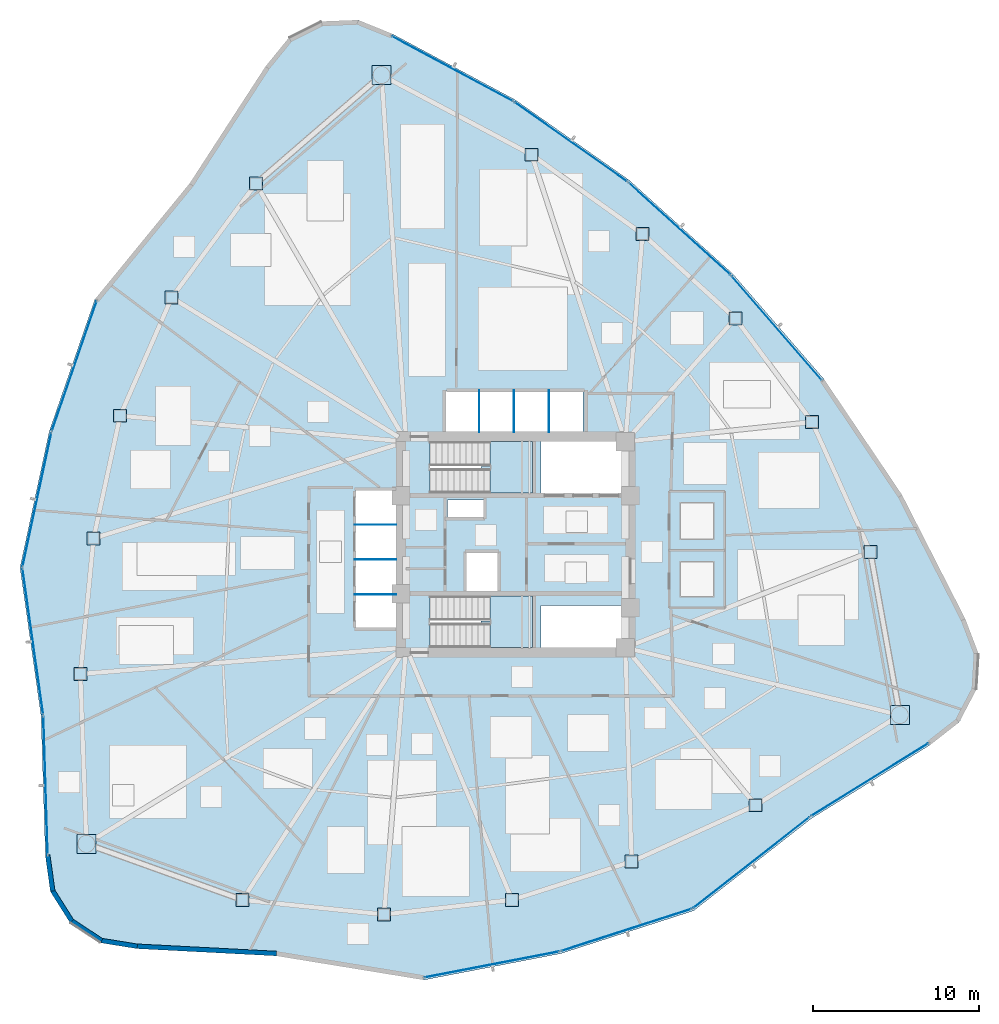
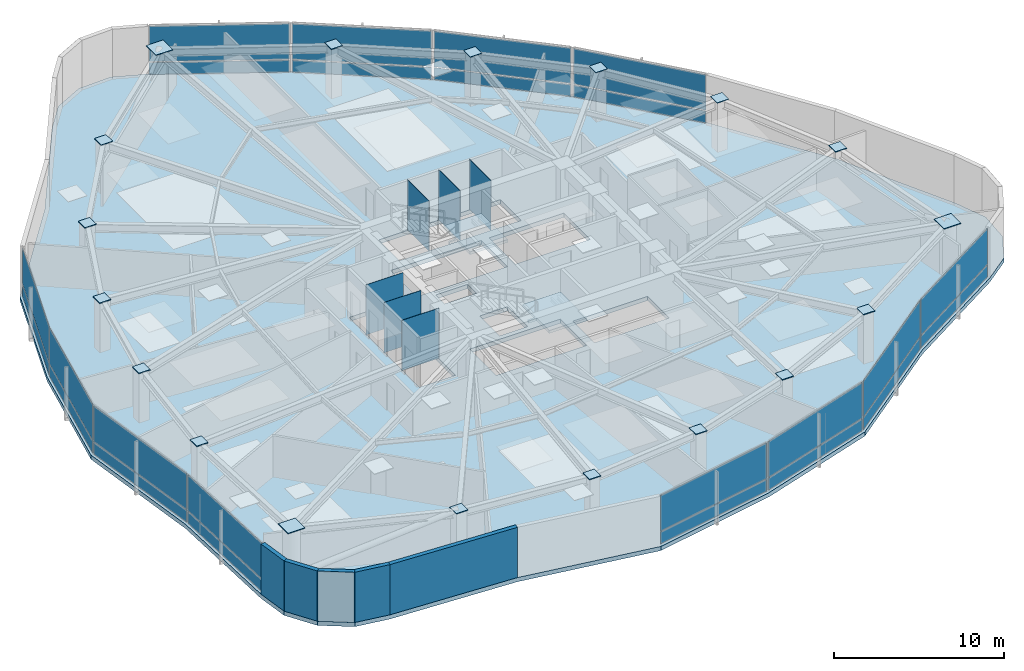
# One storey, part 10 of 17: 48 plates, 5 walls, 3 slabs, 14 elements without a shape of their own.
"""IFC4 building model written with IfcOpenShell, lengths in metres."""

from ifc_helpers import new_model, si_unit, direction, frame, frame_2d, origin, origin_2d, place, context, subcontext, project, spatial, polyline, rectangle, outline, extrude, source, transform, mapped, material, layer, layer_set, type_object, type_shapes, element, aggregate, save


model = new_model("IFC4")

# Units and contexts
model_context = context("Model", 3, precision=1e-05, world=origin(), true_north=direction((0.0, 1.0)))
body_context = subcontext(model_context, "Body", "Model", "MODEL_VIEW")
ifc_project = project(units=[si_unit("LENGTHUNIT", "METRE"), si_unit("AREAUNIT", "SQUARE_METRE"), si_unit("VOLUMEUNIT", "CUBIC_METRE"), si_unit("PLANEANGLEUNIT", "RADIAN"), si_unit("MASSUNIT", "GRAM", prefix="KILO")], contexts=[model_context])

# Site, building, storey
site_placement = place(None, origin())
site = spatial("IfcSite", under=ifc_project, at=site_placement, CompositionType="ELEMENT")
building_placement = place(site_placement, origin())
building = spatial("IfcBuilding", under=site, at=building_placement, Name="Tavelor Broadcast Tower", CompositionType="ELEMENT")
storey_placement = place(building_placement, frame((0.0, 0.0, 86.10009765625)))
storey = spatial("IfcBuildingStorey", under=building, at=storey_placement, Name="L20", CompositionType="ELEMENT", Elevation=86.10009765625)

# Stair, slab
ifc_material_1 = material(Name="Concrete C40/50", Category="concrete")
stair_type = type_object("IfcStairType", Name="Reinforced Concrete Protected Dogleg Stair 1450 mm", PredefinedType="HALF_TURN_STAIR", material=ifc_material_1)
stair_1_placement = place(storey_placement, origin())
stair_1 = element("IfcStair", 1, at=stair_1_placement, inside=storey, type_object=stair_type, Name="L20 Protected Core Exit Stair ST1", PredefinedType="HALF_TURN_STAIR")
ifc_layer_1 = layer(ifc_material_1, 0.199951171875)
ifc_layer_set_1 = layer_set([ifc_layer_1], Name="Concrete C40/50")
slab_type_1 = type_object("IfcSlabType", Name="Reinforced Concrete Stair Half-Landing Slab 200 mm", PredefinedType="LANDING", material=ifc_layer_set_1)
slab_1_placement = place(storey_placement, frame((0.0, 0.0, 1.75)))
slab_1 = element("IfcSlab", 2, at=slab_1_placement, type_object=slab_type_1, Name="ST1 landing 1", PredefinedType="LANDING", context=body_context, shape_type="SweptSolid", body=[
    extrude(outline(polyline([(48.445068359375, 49.590087890625), (48.445068359375, 48.094970703125), (51.0048828125, 48.094970703125), (51.0048828125, 51.205078125), (48.445068359375, 51.205078125), (48.445068359375, 49.7099609375), (47.905029296875, 49.7099609375), (47.905029296875, 49.590087890625), (48.445068359375, 49.590087890625)])), origin(), (0.0, 0.0, 1.0), 0.199951171875),
])
aggregate(stair_1, [slab_1])

stair_2_placement = place(storey_placement, origin())
stair_2 = element("IfcStair", 3, at=stair_2_placement, inside=storey, type_object=stair_type, Name="L20 Protected Core Exit Stair ST2", PredefinedType="HALF_TURN_STAIR")
slab_2_placement = place(storey_placement, frame((0.0, 0.0, 1.75)))
slab_2 = element("IfcSlab", 4, at=slab_2_placement, type_object=slab_type_1, Name="ST2 landing 1", PredefinedType="LANDING", context=body_context, shape_type="SweptSolid", body=[
    extrude(outline(polyline([(48.445068359375, 40.2900390625), (48.445068359375, 38.794921875), (51.0048828125, 38.794921875), (51.0048828125, 41.905029296875), (48.445068359375, 41.905029296875), (48.445068359375, 40.409912109375), (47.905029296875, 40.409912109375), (47.905029296875, 40.2900390625), (48.445068359375, 40.2900390625)])), origin(), (0.0, 0.0, 1.0), 0.199951171875),
])
aggregate(stair_2, [slab_2])

# Slab
ifc_layer_2 = layer(ifc_material_1, 0.300048828125)
ifc_layer_set_2 = layer_set([ifc_layer_2], Name="Concrete C40/50")
slab_type_2 = type_object("IfcSlabType", Name="Tower Composite Floor Slab 300 mm", PredefinedType="FLOOR", material=ifc_layer_set_2)
slab_3_placement = place(storey_placement, frame((0.0, 0.0, -0.300048828125)))
element("IfcSlab", 5, at=slab_3_placement, inside=storey, type_object=slab_type_2, Name="L20 Structural Floor Slab", PredefinedType="FLOOR", context=body_context, shape_type="SweptSolid", body=[
    extrude(outline(polyline([(42.563232421875, 75.75244140625), (40.518310546875, 76.580810546875), (38.313720703125, 76.494140625), (36.340087890625, 75.508056640625), (34.947021484375, 73.797119140625), (30.376220703125, 66.752197265625), (24.668701171875, 59.7705078125), (21.92431640625, 51.833740234375), (20.160400390625, 43.623291015625), (21.425537109375, 34.69482421875), (21.68603515625, 26.301025390625), (21.9912109375, 24.115966796875), (23.16845703125, 22.25), (25.00927734375, 21.03369140625), (27.1875, 20.68310546875), (35.573974609375, 20.246826171875), (44.47412109375, 18.794921875), (52.7197265625, 20.386474609375), (60.712158203125, 22.964111328125), (67.811767578125, 28.524169921875), (74.950927734375, 32.946533203125), (76.690673828125, 34.30322265625), (77.718017578125, 36.255859375), (77.8505859375, 38.458251953125), (77.0654296875, 40.52001953125), (73.249755859375, 48.0009765625), (68.556884765625, 54.96533203125), (63.0556640625, 61.310546875), (56.8271484375, 66.943359375), (49.962646484375, 71.781005859375), (42.563232421875, 75.75244140625)]), holes=[polyline([(56.60009765625, 38.800048828125), (51.52001953125, 38.800048828125), (51.52001953125, 41.35009765625), (56.60009765625, 41.35009765625), (56.60009765625, 38.800048828125)]), polyline([(50.99609375, 38.803955078125), (44.85400390625, 38.803955078125), (44.85400390625, 41.89599609375), (50.99609375, 41.89599609375), (50.99609375, 38.803955078125)]), polyline([(47.050048828125, 42.199951171875), (47.050048828125, 44.550048828125), (48.949951171875, 44.550048828125), (48.949951171875, 42.199951171875), (47.050048828125, 42.199951171875)]), polyline([(40.35009765625, 40.0), (40.35009765625, 48.25), (42.800048828125, 48.25), (42.800048828125, 40.0), (40.35009765625, 40.0)]), polyline([(48.050048828125, 46.64990234375), (45.89990234375, 46.64990234375), (45.89990234375, 47.699951171875), (48.050048828125, 47.699951171875), (48.050048828125, 46.64990234375)]), polyline([(50.99609375, 48.10400390625), (44.85400390625, 48.10400390625), (44.85400390625, 51.196044921875), (50.99609375, 51.196044921875), (50.99609375, 48.10400390625)]), polyline([(56.60009765625, 48.10009765625), (51.52001953125, 48.10009765625), (51.52001953125, 51.199951171875), (56.60009765625, 51.199951171875), (56.60009765625, 48.10009765625)]), polyline([(54.050048828125, 51.800048828125), (45.800048828125, 51.800048828125), (45.800048828125, 54.25), (54.050048828125, 54.25), (54.050048828125, 51.800048828125)])]), origin(), (0.0, 0.0, 1.0), 0.300048828125),
])

# Plates
ifc_material_2 = material(Name="Steel S460", Category="steel")
ifc_layer_3 = layer(ifc_material_2, 0.050048828125)
ifc_layer_set_3 = layer_set([ifc_layer_3], Name="Steel S460")
plate_type_1 = type_object("IfcPlateType", Name="Tube Hollow-End Cap Plate KN05 700x700x50", PredefinedType="USERDEFINED", material=ifc_layer_set_3)
shared_shape_1 = source(origin(), body_context, "Body", "SweptSolid", [
    extrude(rectangle(XDim=1.14697265625, YDim=1.14697265625, at=origin_2d()), origin(), (0.0, 0.0, 1.0), 0.054931640625),
])
for number, where, z_axis, x_axis, name in (
    (6, (41.923095703125, 73.266357421875, 3.572265625), (0.0, 0.0, 1.0), (1.0, 0.0, 0.0), "L20 Hollow End Cap Plate KN05 #580"),
    (7, (24.1591796875, 26.98974609375, 3.572265625), (0.0, 0.0, 1.0), (1.0, 0.0, 0.0), "L20 Hollow End Cap Plate KN05 #586"),
    (8, (73.117919921875, 34.743896484375, 3.572265625), (0.0, 0.0, 1.0), (1.0, 0.0, 0.0), "L20 Hollow End Cap Plate KN05 #592"),
):
    element("IfcPlate", number, at=place(storey_placement, frame(where, z_axis=z_axis, x_axis=x_axis)), inside=storey, type_object=plate_type_1, Name=name, ObjectType="CAP PLATE", PredefinedType="USERDEFINED", context=body_context, shape_type="MappedRepresentation", body=[
        mapped(shared_shape_1, transform((0.0, 0.0, 0.0), scale=1.0)),
    ])
shared_shape_2 = source(origin(), body_context, "Body", "SweptSolid", [
    extrude(rectangle(XDim=0.780029296875, YDim=0.780029296875, at=origin_2d()), origin(), (0.0, 0.0, 1.0), 0.054931640625),
])
type_shapes(plate_type_1, [shared_shape_1, shared_shape_2])
for number, where, z_axis, x_axis, name in (
    (9, (34.356201171875, 66.727783203125, 3.572265625), (0.0, 0.0, 1.0), (1.0, 0.0, 0.0), "L20 Hollow End Cap Plate KN05 #581"),
    (10, (29.292236328125, 59.87158203125, 3.572265625), (0.0, 0.0, 1.0), (1.0, 0.0, 0.0), "L20 Hollow End Cap Plate KN05 #582"),
    (11, (26.189208984375, 52.75830078125, 3.572265625), (0.0, 0.0, 1.0), (1.0, 0.0, 0.0), "L20 Hollow End Cap Plate KN05 #583"),
    (12, (24.58984375, 45.380615234375, 3.572265625), (0.0, 0.0, 1.0), (1.0, 0.0, 0.0), "L20 Hollow End Cap Plate KN05 #584"),
    (13, (23.794677734375, 37.21630859375, 3.572265625), (0.0, 0.0, 1.0), (1.0, 0.0, 0.0), "L20 Hollow End Cap Plate KN05 #585"),
    (14, (33.55078125, 23.615478515625, 3.572265625), (0.0, 0.0, 1.0), (1.0, 0.0, 0.0), "L20 Hollow End Cap Plate KN05 #587"),
    (15, (42.0732421875, 22.740478515625, 3.572265625), (0.0, 0.0, 1.0), (1.0, 0.0, 0.0), "L20 Hollow End Cap Plate KN05 #588"),
    (16, (49.78662109375, 23.617919921875, 3.572265625), (0.0, 0.0, 1.0), (1.0, 0.0, 0.0), "L20 Hollow End Cap Plate KN05 #589"),
    (17, (56.975341796875, 25.92138671875, 3.572265625), (0.0, 0.0, 1.0), (1.0, 0.0, 0.0), "L20 Hollow End Cap Plate KN05 #590"),
    (18, (64.443603515625, 29.31494140625, 3.572265625), (0.0, 0.0, 1.0), (1.0, 0.0, 0.0), "L20 Hollow End Cap Plate KN05 #591"),
    (19, (71.343994140625, 44.564697265625, 3.572265625), (0.0, 0.0, 1.0), (1.0, 0.0, 0.0), "L20 Hollow End Cap Plate KN05 #593"),
    (20, (67.8408203125, 52.382568359375, 3.572265625), (0.0, 0.0, 1.0), (1.0, 0.0, 0.0), "L20 Hollow End Cap Plate KN05 #594"),
    (21, (63.22412109375, 58.623779296875, 3.572265625), (0.0, 0.0, 1.0), (1.0, 0.0, 0.0), "L20 Hollow End Cap Plate KN05 #595"),
    (22, (57.634765625, 63.69775390625, 3.572265625), (0.0, 0.0, 1.0), (1.0, 0.0, 0.0), "L20 Hollow End Cap Plate KN05 #596"),
    (23, (50.9619140625, 68.468505859375, 3.572265625), (0.0, 0.0, 1.0), (1.0, 0.0, 0.0), "L20 Hollow End Cap Plate KN05 #597"),
):
    element("IfcPlate", number, at=place(storey_placement, frame(where, z_axis=z_axis, x_axis=x_axis)), inside=storey, type_object=plate_type_1, Name=name, ObjectType="CAP PLATE", PredefinedType="USERDEFINED", context=body_context, shape_type="MappedRepresentation", body=[
        mapped(shared_shape_2, transform((0.0, 0.0, 0.0), scale=1.0)),
    ])
ifc_material_3 = material(Name="Steel S355", Category="steel")
ifc_layer_4 = layer(ifc_material_3, 0.011962890625)
ifc_layer_set_4 = layer_set([ifc_layer_4], Name="Steel S355")
plate_type_2 = type_object("IfcPlateType", Name="Hoistway Steel Separator Screen 12 mm", PredefinedType="SHEET", material=ifc_layer_set_4)
shared_shape_3 = source(origin(), body_context, "Body", "SweptSolid", [
    extrude(rectangle(XDim=2.52001953125, YDim=0.02001953125, at=origin_2d()), origin(), (0.0, 0.0, 1.0), 3.60009765625),
])
for number, where, z_axis, x_axis, name in (
    (24, (41.56005859375, 42.0, -0.000244140625), (0.0, 0.0, 1.0), (1.0, 0.0, 0.0), "L20 Low-Rise Hoistway Separator Screen 1"),
    (25, (41.56005859375, 44.10009765625, -0.000244140625), (0.0, 0.0, 1.0), (1.0, 0.0, 0.0), "L20 Low-Rise Hoistway Separator Screen 2"),
    (26, (41.56005859375, 46.199951171875, -0.000244140625), (0.0, 0.0, 1.0), (1.0, 0.0, 0.0), "L20 Low-Rise Hoistway Separator Screen 3"),
):
    element("IfcPlate", number, at=place(storey_placement, frame(where, z_axis=z_axis, x_axis=x_axis)), inside=storey, type_object=plate_type_2, Name=name, PredefinedType="SHEET", context=body_context, shape_type="MappedRepresentation", body=[
        mapped(shared_shape_3, transform((0.0, 0.0, 0.0), scale=1.0)),
    ])
shared_shape_4 = source(origin(), body_context, "Body", "SweptSolid", [
    extrude(rectangle(XDim=0.02001953125, YDim=2.52001953125, at=origin_2d()), origin(), (0.0, 0.0, 1.0), 3.60009765625),
])
type_shapes(plate_type_2, [shared_shape_3, shared_shape_4])
for number, where, z_axis, x_axis, name in (
    (27, (47.800048828125, 53.0400390625, -0.000244140625), (0.0, 0.0, 1.0), (1.0, 0.0, 0.0), "L20 High-Rise Hoistway Separator Screen 1"),
    (28, (49.89990234375, 53.0400390625, -0.000244140625), (0.0, 0.0, 1.0), (1.0, 0.0, 0.0), "L20 High-Rise Hoistway Separator Screen 2"),
    (29, (52.0, 53.0400390625, -0.000244140625), (0.0, 0.0, 1.0), (1.0, 0.0, 0.0), "L20 High-Rise Hoistway Separator Screen 3"),
):
    element("IfcPlate", number, at=place(storey_placement, frame(where, z_axis=z_axis, x_axis=x_axis)), inside=storey, type_object=plate_type_2, Name=name, PredefinedType="SHEET", context=body_context, shape_type="MappedRepresentation", body=[
        mapped(shared_shape_4, transform((0.0, 0.0, 0.0), scale=1.0)),
    ])

# Curtain wall, plate
ifc_material_4 = material(Name="Architectural Anodized Aluminium", Category="aluminium")
ifc_layer_5 = layer(ifc_material_4, 0.179931640625)
ifc_layer_set_5 = layer_set([ifc_layer_5], Name="Architectural Anodized Aluminium")
curtain_wall_type = type_object("IfcCurtainWallType", Name="Tower Low-Zone Unitised Curtain Wall CW02", PredefinedType="NOTDEFINED", material=ifc_layer_set_5)
curtain_wall_1_placement = place(storey_placement, origin())
curtain_wall_1 = element("IfcCurtainWall", 30, at=curtain_wall_1_placement, inside=storey, type_object=curtain_wall_type, Name="L20 Curtain Wall CW02 Run 193", PredefinedType="NOTDEFINED")
ifc_material_5 = material(Name="Acoustic Double Glazing 28 mm", Category="glass")
ifc_layer_6 = layer(ifc_material_5, 0.028076171875)
ifc_layer_set_6 = layer_set([ifc_layer_6], Name="Acoustic Double Glazing 28 mm")
plate_type_3 = type_object("IfcPlateType", Name="CW02 Insulated Vision Glazing Panel 28 mm", PredefinedType="CURTAIN_PANEL", material=ifc_layer_set_6)
shared_shape_5 = source(origin(), body_context, "Body", "SweptSolid", [
    extrude(rectangle(XDim=8.219482421875, YDim=0.028076171875, at=origin_2d()), origin(), (0.0, 0.0, 1.0), 0.8525390625),
])
plate_1_placement = place(storey_placement, frame((23.4287109375, 55.755859375, 0.06494140625), z_axis=(0.0, 0.0, 1.0), x_axis=(-0.326814779125, -0.94508840864, 0.0)))
plate_1 = element("IfcPlate", 31, at=plate_1_placement, type_object=plate_type_3, Name="CW02 panel 1.1", PredefinedType="CURTAIN_PANEL", context=body_context, shape_type="MappedRepresentation", body=[
    mapped(shared_shape_5, transform((0.0, 0.0, 0.0), scale=1.0)),
])

curtain_wall_2_placement = place(storey_placement, origin())
curtain_wall_2 = element("IfcCurtainWall", 32, at=curtain_wall_2_placement, inside=storey, type_object=curtain_wall_type, Name="L20 Curtain Wall CW02 Run 197", PredefinedType="NOTDEFINED")
plate_2_placement = place(storey_placement, frame((48.571044921875, 19.728271484375, 0.06494140625), z_axis=(0.0, 0.0, 1.0), x_axis=(0.981876881584, 0.189519891862, 0.0)))
plate_2 = element("IfcPlate", 33, at=plate_2_placement, type_object=plate_type_3, Name="CW02 panel 1.1", PredefinedType="CURTAIN_PANEL", context=body_context, shape_type="MappedRepresentation", body=[
    mapped(shared_shape_5, transform((0.0, 0.0, 0.0), scale=1.0)),
])

# Plate
shared_shape_6 = source(origin(), body_context, "Body", "SweptSolid", [
    extrude(rectangle(XDim=8.219482421875, YDim=0.028076171875, at=origin_2d()), origin(), (0.0, 0.0, 1.0), 2.552490234375),
])
plate_3_placement = place(storey_placement, frame((23.4287109375, 55.755859375, 0.982421875), z_axis=(0.0, 0.0, 1.0), x_axis=(-0.326814779125, -0.94508840864, 0.0)))
plate_3 = element("IfcPlate", 34, at=plate_3_placement, type_object=plate_type_3, Name="CW02 panel 1.2", PredefinedType="CURTAIN_PANEL", context=body_context, shape_type="MappedRepresentation", body=[
    mapped(shared_shape_6, transform((0.0, 0.0, 0.0), scale=1.0)),
])

aggregate(curtain_wall_1, [plate_1, plate_3])

plate_4_placement = place(storey_placement, frame((48.571044921875, 19.728271484375, 0.982421875), z_axis=(0.0, 0.0, 1.0), x_axis=(0.981876881584, 0.189519891862, 0.0)))
plate_4 = element("IfcPlate", 35, at=plate_4_placement, type_object=plate_type_3, Name="CW02 panel 1.2", PredefinedType="CURTAIN_PANEL", context=body_context, shape_type="MappedRepresentation", body=[
    mapped(shared_shape_6, transform((0.0, 0.0, 0.0), scale=1.0)),
])

aggregate(curtain_wall_2, [plate_2, plate_4])

# Curtain wall, plates
curtain_wall_3_placement = place(storey_placement, origin())
curtain_wall_3 = element("IfcCurtainWall", 36, at=curtain_wall_3_placement, inside=storey, type_object=curtain_wall_type, Name="L20 Curtain Wall CW02 Run 194", PredefinedType="NOTDEFINED")
shared_shape_7 = source(origin(), body_context, "Body", "SweptSolid", [
    extrude(rectangle(XDim=8.20458984375, YDim=0.028076171875, at=origin_2d()), origin(), (0.0, 0.0, 1.0), 0.8525390625),
])
plate_5_placement = place(storey_placement, frame((21.180908203125, 47.70703125, 0.06494140625), z_axis=(0.0, 0.0, 1.0), x_axis=(-0.210030532284, -0.977694827392, 0.0)))
plate_5 = element("IfcPlate", 37, at=plate_5_placement, type_object=plate_type_3, Name="CW02 panel 1.1", PredefinedType="CURTAIN_PANEL", context=body_context, shape_type="MappedRepresentation", body=[
    mapped(shared_shape_7, transform((0.0, 0.0, 0.0), scale=1.0)),
])
shared_shape_8 = source(origin(), body_context, "Body", "SweptSolid", [
    extrude(rectangle(XDim=8.20458984375, YDim=0.028076171875, at=origin_2d()), origin(), (0.0, 0.0, 1.0), 2.552490234375),
])
plate_6_placement = place(storey_placement, frame((21.180908203125, 47.70703125, 0.982421875), z_axis=(0.0, 0.0, 1.0), x_axis=(-0.210030532284, -0.977694827392, 0.0)))
plate_6 = element("IfcPlate", 38, at=plate_6_placement, type_object=plate_type_3, Name="CW02 panel 1.2", PredefinedType="CURTAIN_PANEL", context=body_context, shape_type="MappedRepresentation", body=[
    mapped(shared_shape_8, transform((0.0, 0.0, 0.0), scale=1.0)),
])
aggregate(curtain_wall_3, [plate_5, plate_6])

# Curtain wall, plate
curtain_wall_4_placement = place(storey_placement, origin())
curtain_wall_4 = element("IfcCurtainWall", 39, at=curtain_wall_4_placement, inside=storey, type_object=curtain_wall_type, Name="L20 Curtain Wall CW02 Run 195", PredefinedType="NOTDEFINED")
shared_shape_9 = source(origin(), body_context, "Body", "SweptSolid", [
    extrude(rectangle(XDim=8.84033203125, YDim=0.028076171875, at=origin_2d()), origin(), (0.0, 0.0, 1.0), 0.8525390625),
])
plate_7_placement = place(storey_placement, frame((20.933837890625, 39.16259765625, 0.06494140625), z_axis=(0.0, 0.0, 1.0), x_axis=(0.14030692686, -0.990108057878, 0.0)))
plate_7 = element("IfcPlate", 40, at=plate_7_placement, type_object=plate_type_3, Name="CW02 panel 1.1", PredefinedType="CURTAIN_PANEL", context=body_context, shape_type="MappedRepresentation", body=[
    mapped(shared_shape_9, transform((0.0, 0.0, 0.0), scale=1.0)),
])

curtain_wall_5_placement = place(storey_placement, origin())
curtain_wall_5 = element("IfcCurtainWall", 41, at=curtain_wall_5_placement, inside=storey, type_object=curtain_wall_type, Name="L20 Curtain Wall CW02 Run 199", PredefinedType="NOTDEFINED")
plate_8_placement = place(storey_placement, frame((64.1884765625, 25.864501953125, 0.06494140625), z_axis=(0.0, 0.0, 1.0), x_axis=(0.787294884209, 0.616576649978, 0.0)))
plate_8 = element("IfcPlate", 42, at=plate_8_placement, type_object=plate_type_3, Name="CW02 panel 1.1", PredefinedType="CURTAIN_PANEL", context=body_context, shape_type="MappedRepresentation", body=[
    mapped(shared_shape_9, transform((0.0, 0.0, 0.0), scale=1.0)),
])

# Plate
shared_shape_10 = source(origin(), body_context, "Body", "SweptSolid", [
    extrude(rectangle(XDim=8.84033203125, YDim=0.028076171875, at=origin_2d()), origin(), (0.0, 0.0, 1.0), 2.552490234375),
])
plate_9_placement = place(storey_placement, frame((20.933837890625, 39.16259765625, 0.982421875), z_axis=(0.0, 0.0, 1.0), x_axis=(0.14030692686, -0.990108057878, 0.0)))
plate_9 = element("IfcPlate", 43, at=plate_9_placement, type_object=plate_type_3, Name="CW02 panel 1.2", PredefinedType="CURTAIN_PANEL", context=body_context, shape_type="MappedRepresentation", body=[
    mapped(shared_shape_10, transform((0.0, 0.0, 0.0), scale=1.0)),
])

aggregate(curtain_wall_4, [plate_7, plate_9])

plate_10_placement = place(storey_placement, frame((64.1884765625, 25.864501953125, 0.982421875), z_axis=(0.0, 0.0, 1.0), x_axis=(0.787294884209, 0.616576649978, 0.0)))
plate_10 = element("IfcPlate", 44, at=plate_10_placement, type_object=plate_type_3, Name="CW02 panel 1.2", PredefinedType="CURTAIN_PANEL", context=body_context, shape_type="MappedRepresentation", body=[
    mapped(shared_shape_10, transform((0.0, 0.0, 0.0), scale=1.0)),
])

aggregate(curtain_wall_5, [plate_8, plate_10])

# Curtain wall, plate
curtain_wall_6_placement = place(storey_placement, origin())
curtain_wall_6 = element("IfcCurtainWall", 45, at=curtain_wall_6_placement, inside=storey, type_object=curtain_wall_type, Name="L20 Curtain Wall CW02 Run 196", PredefinedType="NOTDEFINED")
shared_shape_11 = source(origin(), body_context, "Body", "SweptSolid", [
    extrude(rectangle(XDim=8.2529296875, YDim=0.028076171875, at=origin_2d()), origin(), (0.0, 0.0, 1.0), 0.8525390625),
])
plate_11_placement = place(storey_placement, frame((21.69580078125, 30.50244140625, 0.06494140625), z_axis=(0.0, 0.0, 1.0), x_axis=(0.031003480169, -0.999519276561, 0.0)))
plate_11 = element("IfcPlate", 46, at=plate_11_placement, type_object=plate_type_3, Name="CW02 panel 1.1", PredefinedType="CURTAIN_PANEL", context=body_context, shape_type="MappedRepresentation", body=[
    mapped(shared_shape_11, transform((0.0, 0.0, 0.0), scale=1.0)),
])

curtain_wall_7_placement = place(storey_placement, origin())
curtain_wall_7 = element("IfcCurtainWall", 47, at=curtain_wall_7_placement, inside=storey, type_object=curtain_wall_type, Name="L20 Curtain Wall CW02 Run 200", PredefinedType="NOTDEFINED")
plate_12_placement = place(storey_placement, frame((71.3076171875, 30.854248046875, 0.06494140625), z_axis=(0.0, 0.0, 1.0), x_axis=(0.850121225643, 0.526587031468, 0.0)))
plate_12 = element("IfcPlate", 48, at=plate_12_placement, type_object=plate_type_3, Name="CW02 panel 1.1", PredefinedType="CURTAIN_PANEL", context=body_context, shape_type="MappedRepresentation", body=[
    mapped(shared_shape_11, transform((0.0, 0.0, 0.0), scale=1.0)),
])

# Plate
shared_shape_12 = source(origin(), body_context, "Body", "SweptSolid", [
    extrude(rectangle(XDim=8.2529296875, YDim=0.028076171875, at=origin_2d()), origin(), (0.0, 0.0, 1.0), 2.552490234375),
])
plate_13_placement = place(storey_placement, frame((21.69580078125, 30.50244140625, 0.982421875), z_axis=(0.0, 0.0, 1.0), x_axis=(0.031003480169, -0.999519276561, 0.0)))
plate_13 = element("IfcPlate", 49, at=plate_13_placement, type_object=plate_type_3, Name="CW02 panel 1.2", PredefinedType="CURTAIN_PANEL", context=body_context, shape_type="MappedRepresentation", body=[
    mapped(shared_shape_12, transform((0.0, 0.0, 0.0), scale=1.0)),
])

aggregate(curtain_wall_6, [plate_11, plate_13])

plate_14_placement = place(storey_placement, frame((71.3076171875, 30.854248046875, 0.982421875), z_axis=(0.0, 0.0, 1.0), x_axis=(0.850121225643, 0.526587031468, 0.0)))
plate_14 = element("IfcPlate", 50, at=plate_14_placement, type_object=plate_type_3, Name="CW02 panel 1.2", PredefinedType="CURTAIN_PANEL", context=body_context, shape_type="MappedRepresentation", body=[
    mapped(shared_shape_12, transform((0.0, 0.0, 0.0), scale=1.0)),
])

aggregate(curtain_wall_7, [plate_12, plate_14])

# Curtain wall, plates
curtain_wall_8_placement = place(storey_placement, origin())
curtain_wall_8 = element("IfcCurtainWall", 51, at=curtain_wall_8_placement, inside=storey, type_object=curtain_wall_type, Name="L20 Curtain Wall CW02 Run 198", PredefinedType="NOTDEFINED")
shared_shape_13 = source(origin(), body_context, "Body", "SweptSolid", [
    extrude(rectangle(XDim=8.204345703125, YDim=0.028076171875, at=origin_2d()), origin(), (0.0, 0.0, 1.0), 0.8525390625),
])
plate_15_placement = place(storey_placement, frame((56.6650390625, 21.80615234375, 0.06494140625), z_axis=(0.0, 0.0, 1.0), x_axis=(0.951727614395, 0.306943884117, 0.0)))
plate_15 = element("IfcPlate", 52, at=plate_15_placement, type_object=plate_type_3, Name="CW02 panel 1.1", PredefinedType="CURTAIN_PANEL", context=body_context, shape_type="MappedRepresentation", body=[
    mapped(shared_shape_13, transform((0.0, 0.0, 0.0), scale=1.0)),
])
shared_shape_14 = source(origin(), body_context, "Body", "SweptSolid", [
    extrude(rectangle(XDim=8.204345703125, YDim=0.028076171875, at=origin_2d()), origin(), (0.0, 0.0, 1.0), 2.552490234375),
])
plate_16_placement = place(storey_placement, frame((56.6650390625, 21.80615234375, 0.982421875), z_axis=(0.0, 0.0, 1.0), x_axis=(0.951727614395, 0.306943884117, 0.0)))
plate_16 = element("IfcPlate", 53, at=plate_16_placement, type_object=plate_type_3, Name="CW02 panel 1.2", PredefinedType="CURTAIN_PANEL", context=body_context, shape_type="MappedRepresentation", body=[
    mapped(shared_shape_14, transform((0.0, 0.0, 0.0), scale=1.0)),
])
aggregate(curtain_wall_8, [plate_15, plate_16])

curtain_wall_9_placement = place(storey_placement, origin())
curtain_wall_9 = element("IfcCurtainWall", 54, at=curtain_wall_9_placement, inside=storey, type_object=curtain_wall_type, Name="L20 Curtain Wall CW02 Run 201", PredefinedType="NOTDEFINED")
shared_shape_15 = source(origin(), body_context, "Body", "SweptSolid", [
    extrude(rectangle(XDim=8.23583984375, YDim=0.028076171875, at=origin_2d()), origin(), (0.0, 0.0, 1.0), 0.8525390625),
])
plate_17_placement = place(storey_placement, frame((65.70556640625, 58.04052734375, 0.06494140625), z_axis=(0.0, 0.0, 1.0), x_axis=(-0.655073874596, 0.755564834294, 0.0)))
plate_17 = element("IfcPlate", 55, at=plate_17_placement, type_object=plate_type_3, Name="CW02 panel 1.1", PredefinedType="CURTAIN_PANEL", context=body_context, shape_type="MappedRepresentation", body=[
    mapped(shared_shape_15, transform((0.0, 0.0, 0.0), scale=1.0)),
])
shared_shape_16 = source(origin(), body_context, "Body", "SweptSolid", [
    extrude(rectangle(XDim=8.23583984375, YDim=0.028076171875, at=origin_2d()), origin(), (0.0, 0.0, 1.0), 2.552490234375),
])
plate_18_placement = place(storey_placement, frame((65.70556640625, 58.04052734375, 0.982421875), z_axis=(0.0, 0.0, 1.0), x_axis=(-0.655073874596, 0.755564834294, 0.0)))
plate_18 = element("IfcPlate", 56, at=plate_18_placement, type_object=plate_type_3, Name="CW02 panel 1.2", PredefinedType="CURTAIN_PANEL", context=body_context, shape_type="MappedRepresentation", body=[
    mapped(shared_shape_16, transform((0.0, 0.0, 0.0), scale=1.0)),
])
aggregate(curtain_wall_9, [plate_17, plate_18])

curtain_wall_10_placement = place(storey_placement, origin())
curtain_wall_10 = element("IfcCurtainWall", 57, at=curtain_wall_10_placement, inside=storey, type_object=curtain_wall_type, Name="L20 Curtain Wall CW02 Run 202", PredefinedType="NOTDEFINED")
shared_shape_17 = source(origin(), body_context, "Body", "SweptSolid", [
    extrude(rectangle(XDim=8.220947265625, YDim=0.028076171875, at=origin_2d()), origin(), (0.0, 0.0, 1.0), 0.8525390625),
])
plate_19_placement = place(storey_placement, frame((59.847412109375, 64.02294921875, 0.06494140625), z_axis=(0.0, 0.0, 1.0), x_axis=(-0.741691505437, 0.670741165252, 0.0)))
plate_19 = element("IfcPlate", 58, at=plate_19_placement, type_object=plate_type_3, Name="CW02 panel 1.1", PredefinedType="CURTAIN_PANEL", context=body_context, shape_type="MappedRepresentation", body=[
    mapped(shared_shape_17, transform((0.0, 0.0, 0.0), scale=1.0)),
])
shared_shape_18 = source(origin(), body_context, "Body", "SweptSolid", [
    extrude(rectangle(XDim=8.220947265625, YDim=0.028076171875, at=origin_2d()), origin(), (0.0, 0.0, 1.0), 2.552490234375),
])
plate_20_placement = place(storey_placement, frame((59.847412109375, 64.02294921875, 0.982421875), z_axis=(0.0, 0.0, 1.0), x_axis=(-0.741691505437, 0.670741165252, 0.0)))
plate_20 = element("IfcPlate", 59, at=plate_20_placement, type_object=plate_type_3, Name="CW02 panel 1.2", PredefinedType="CURTAIN_PANEL", context=body_context, shape_type="MappedRepresentation", body=[
    mapped(shared_shape_18, transform((0.0, 0.0, 0.0), scale=1.0)),
])
aggregate(curtain_wall_10, [plate_19, plate_20])

curtain_wall_11_placement = place(storey_placement, origin())
curtain_wall_11 = element("IfcCurtainWall", 60, at=curtain_wall_11_placement, inside=storey, type_object=curtain_wall_type, Name="L20 Curtain Wall CW02 Run 203", PredefinedType="NOTDEFINED")
shared_shape_19 = source(origin(), body_context, "Body", "SweptSolid", [
    extrude(rectangle(XDim=8.220703125, YDim=0.028076171875, at=origin_2d()), origin(), (0.0, 0.0, 1.0), 0.8525390625),
])
plate_21_placement = place(storey_placement, frame((53.314208984375, 69.247802734375, 0.06494140625), z_axis=(0.0, 0.0, 1.0), x_axis=(-0.817405029282, 0.576063380284, 0.0)))
plate_21 = element("IfcPlate", 61, at=plate_21_placement, type_object=plate_type_3, Name="CW02 panel 1.1", PredefinedType="CURTAIN_PANEL", context=body_context, shape_type="MappedRepresentation", body=[
    mapped(shared_shape_19, transform((0.0, 0.0, 0.0), scale=1.0)),
])
shared_shape_20 = source(origin(), body_context, "Body", "SweptSolid", [
    extrude(rectangle(XDim=8.220703125, YDim=0.028076171875, at=origin_2d()), origin(), (0.0, 0.0, 1.0), 2.552490234375),
])
plate_22_placement = place(storey_placement, frame((53.314208984375, 69.247802734375, 0.982421875), z_axis=(0.0, 0.0, 1.0), x_axis=(-0.817405029282, 0.576063380284, 0.0)))
plate_22 = element("IfcPlate", 62, at=plate_22_placement, type_object=plate_type_3, Name="CW02 panel 1.2", PredefinedType="CURTAIN_PANEL", context=body_context, shape_type="MappedRepresentation", body=[
    mapped(shared_shape_20, transform((0.0, 0.0, 0.0), scale=1.0)),
])
aggregate(curtain_wall_11, [plate_21, plate_22])

curtain_wall_12_placement = place(storey_placement, origin())
curtain_wall_12 = element("IfcCurtainWall", 63, at=curtain_wall_12_placement, inside=storey, type_object=curtain_wall_type, Name="L20 Curtain Wall CW02 Run 204", PredefinedType="NOTDEFINED")
shared_shape_21 = source(origin(), body_context, "Body", "SweptSolid", [
    extrude(rectangle(XDim=8.23681640625, YDim=0.028076171875, at=origin_2d()), origin(), (0.0, 0.0, 1.0), 0.8525390625),
])
plate_23_placement = place(storey_placement, frame((46.189697265625, 73.647216796875, 0.06494140625), z_axis=(0.0, 0.0, 1.0), x_axis=(-0.881108524442, 0.472914123447, 0.0)))
plate_23 = element("IfcPlate", 64, at=plate_23_placement, type_object=plate_type_3, Name="CW02 panel 1.1", PredefinedType="CURTAIN_PANEL", context=body_context, shape_type="MappedRepresentation", body=[
    mapped(shared_shape_21, transform((0.0, 0.0, 0.0), scale=1.0)),
])
shared_shape_22 = source(origin(), body_context, "Body", "SweptSolid", [
    extrude(rectangle(XDim=8.23681640625, YDim=0.028076171875, at=origin_2d()), origin(), (0.0, 0.0, 1.0), 2.552490234375),
])
type_shapes(plate_type_3, [shared_shape_5, shared_shape_6, shared_shape_7, shared_shape_8, shared_shape_9, shared_shape_10, shared_shape_11, shared_shape_12, shared_shape_13, shared_shape_14, shared_shape_15, shared_shape_16, shared_shape_17, shared_shape_18, shared_shape_19, shared_shape_20, shared_shape_21, shared_shape_22])
plate_24_placement = place(storey_placement, frame((46.189697265625, 73.647216796875, 0.982421875), z_axis=(0.0, 0.0, 1.0), x_axis=(-0.881108524442, 0.472914123447, 0.0)))
plate_24 = element("IfcPlate", 65, at=plate_24_placement, type_object=plate_type_3, Name="CW02 panel 1.2", PredefinedType="CURTAIN_PANEL", context=body_context, shape_type="MappedRepresentation", body=[
    mapped(shared_shape_22, transform((0.0, 0.0, 0.0), scale=1.0)),
])
aggregate(curtain_wall_12, [plate_23, plate_24])

# Walls
ifc_material_6 = material(Name="Precast Concrete C40/50", Category="concrete")
ifc_layer_7 = layer(ifc_material_6, 0.280029296875)
ifc_layer_set_7 = layer_set([ifc_layer_7], Name="Precast Concrete C40/50")
wall_type = type_object("IfcWallType", Name="Insulated Precast Terracotta Facade Wall 280 mm", PredefinedType="STANDARD", material=ifc_layer_set_7)
wall_1_placement = place(storey_placement, frame((21.8251953125, 26.31689453125, 0.0), z_axis=(0.0, 0.0, 1.0), x_axis=(0.138280046883, -0.990393168713, 0.0)))
element("IfcWall", 66, at=wall_1_placement, inside=storey, type_object=wall_type, Name="L20 Rounded Corner Structural Cladding Pier 11", PredefinedType="STANDARD", context=body_context, shape_type="SweptSolid", body=[
    extrude(rectangle(XDim=2.1875, YDim=0.280029296875, at=frame_2d((1.09375, 0.0))), origin(), (0.0, 0.0, 1.0), 3.599853515625),
])
wall_2_placement = place(storey_placement, frame((22.11767578125, 24.177734375, 0.0), z_axis=(0.0, 0.0, 1.0), x_axis=(0.533604581083, -0.845734090035, 0.0)))
element("IfcWall", 67, at=wall_2_placement, inside=storey, type_object=wall_type, Name="L20 Rounded Corner Structural Cladding Pier 12", PredefinedType="STANDARD", context=body_context, shape_type="SweptSolid", body=[
    extrude(rectangle(XDim=2.176025390625, YDim=0.280029296875, at=frame_2d((1.087890625, 0.0))), origin(), (0.0, 0.0, 1.0), 3.599853515625),
])
wall_3_placement = place(storey_placement, frame((23.25830078125, 22.3583984375, 0.0), z_axis=(0.0, 0.0, 1.0), x_axis=(0.834339006768, -0.551251686424, 0.0)))
element("IfcWall", 68, at=wall_3_placement, inside=storey, type_object=wall_type, Name="L20 Rounded Corner Structural Cladding Pier 13", PredefinedType="STANDARD", context=body_context, shape_type="SweptSolid", body=[
    extrude(rectangle(XDim=2.17578125, YDim=0.280029296875, at=frame_2d((1.087890625, 0.0))), origin(), (0.0, 0.0, 1.0), 3.599853515625),
])
wall_4_placement = place(storey_placement, frame((25.04638671875, 21.169677734375, 0.0), z_axis=(0.0, 0.0, 1.0), x_axis=(0.987276571168, -0.159012490149, 0.0)))
element("IfcWall", 69, at=wall_4_placement, inside=storey, type_object=wall_type, Name="L20 Rounded Corner Structural Cladding Pier 14", PredefinedType="STANDARD", context=body_context, shape_type="SweptSolid", body=[
    extrude(rectangle(XDim=2.19873046875, YDim=0.280029296875, at=frame_2d((1.099365234375, 0.0))), origin(), (0.0, 0.0, 1.0), 3.599853515625),
])
wall_5_placement = place(storey_placement, frame((27.187255859375, 20.8232421875, 0.0), z_axis=(0.0, 0.0, 1.0), x_axis=(0.998650284982, -0.051938505032, 0.0)))
element("IfcWall", 70, at=wall_5_placement, inside=storey, type_object=wall_type, Name="L20 Rounded Corner Structural Cladding Pier 15", PredefinedType="STANDARD", context=body_context, shape_type="SweptSolid", body=[
    extrude(rectangle(XDim=8.42822265625, YDim=0.280029296875, at=frame_2d((4.214111328125, 0.0))), origin(), (0.0, 0.0, 1.0), 3.599853515625),
])

save(model, "model.ifc")
